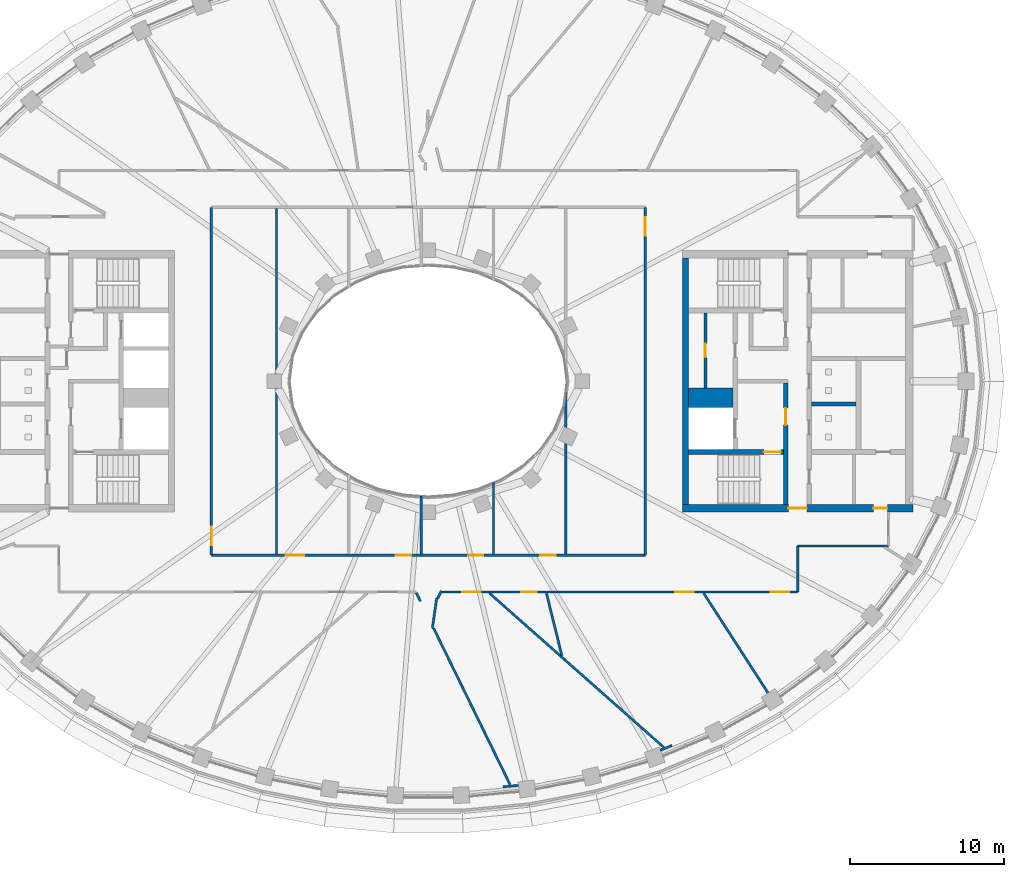
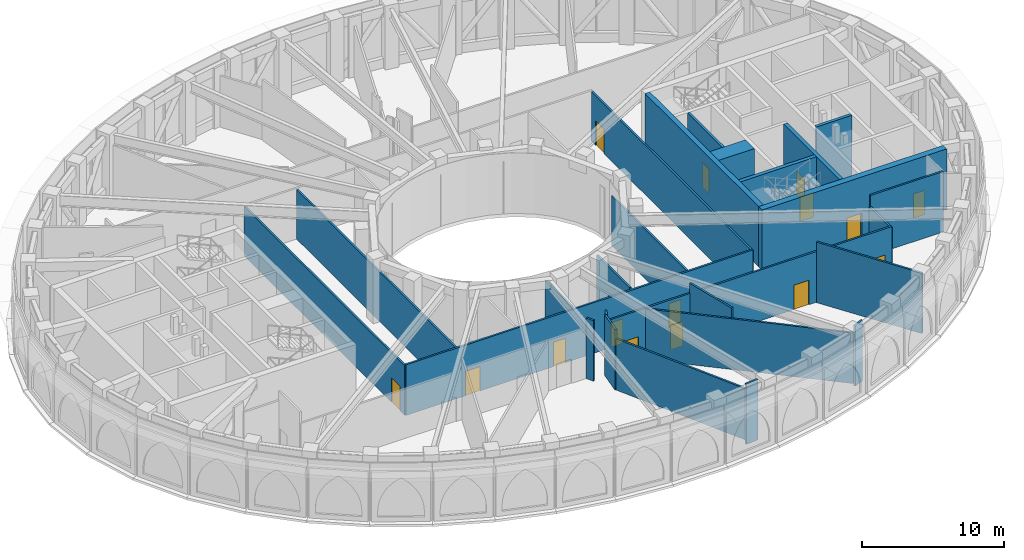
# One storey, part 6 of 23: 27 walls, 15 doors, 15 openings.
"""IFC4 building model written with IfcOpenShell, lengths in metres."""

from ifc_helpers import new_model, si_unit, direction, frame, frame_2d, origin, place, context, subcontext, project, spatial, rectangle, extrude, material, layer, layer_set, type_object, element, fill, save


model = new_model("IFC4")

# Units and contexts
model_context = context("Model", 3, precision=1e-05, world=origin(), true_north=direction((0.0, 1.0)))
body_context = subcontext(model_context, "Body", "Model", "MODEL_VIEW")
ifc_project = project(units=[si_unit("LENGTHUNIT", "METRE"), si_unit("AREAUNIT", "SQUARE_METRE"), si_unit("VOLUMEUNIT", "CUBIC_METRE"), si_unit("PLANEANGLEUNIT", "RADIAN"), si_unit("MASSUNIT", "GRAM", prefix="KILO")], contexts=[model_context])

# Site, building, storey
site_placement = place(None, origin())
site = spatial("IfcSite", under=ifc_project, at=site_placement, CompositionType="ELEMENT")
building_placement = place(site_placement, origin())
building = spatial("IfcBuilding", under=site, at=building_placement, Name="Noorbagh Ring Tower", CompositionType="ELEMENT")
storey_placement = place(building_placement, frame((0.0, 0.0, 285.5)))
storey = spatial("IfcBuildingStorey", under=building, at=storey_placement, Name="L61", CompositionType="ELEMENT", Elevation=285.5)

# Wall, opening, door
ifc_material_1 = material(Name="Gypsum board on steel studs", Category="steel")
ifc_layer_1 = layer(ifc_material_1, 0.14990234375)
ifc_layer_set_1 = layer_set([ifc_layer_1], Name="Gypsum board on steel studs")
wall_type_1 = type_object("IfcWallType", Name="COMPARTMENT PARTITION 150 EI 60", PredefinedType="PARTITIONING", material=ifc_layer_set_1)
wall_1_placement = place(storey_placement, frame((-14.10009765625, -11.300048828125, 0.0), z_axis=(0.0, 0.0, 1.0), x_axis=(0.0, 1.0, 0.0)))
wall_1 = element("IfcWall", 1, at=wall_1_placement, inside=storey, type_object=wall_type_1, Name="L61/wall/P15", PredefinedType="PARTITIONING", context=body_context, shape_type="SweptSolid", body=[
    extrude(rectangle(XDim=22.60009765625, YDim=0.14990234375, at=frame_2d((11.300048828125, 0.0))), origin(), (0.0, 0.0, 1.0), 4.25),
])
opening_1_placement = place(wall_1_placement, frame((0.64990234375, 0.0, 0.0)))
opening_1 = element("IfcOpeningElement", 2, at=opening_1_placement, cuts=wall_1, Name="Opening D7", PredefinedType="OPENING", context=body_context, shape_type="SweptSolid", body=[
    extrude(rectangle(XDim=1.199951171875, YDim=2.10009765625, at=frame_2d((0.60009765625, 1.050048828125))), frame((0.0, 0.0849609375, 0.0), z_axis=(0.0, -1.0, 0.0), x_axis=(1.0, 0.0, 0.0)), (0.0, 0.0, 1.0), 0.169921875),
])
ifc_material_2 = material(Name="Timber, painted", Category="wood")
door_type_1 = type_object("IfcDoorType", Name="DOOR 1200 X 2100 FD60", OperationType="SINGLE_SWING_LEFT", PredefinedType="DOOR", material=ifc_material_2)
door_1_placement = place(opening_1_placement, origin())
door_1 = element("IfcDoor", 3, at=door_1_placement, inside=storey, type_object=door_type_1, Name="L61-D19", OperationType="SINGLE_SWING_LEFT", OverallHeight=2.10009765625, OverallWidth=1.199951171875, PredefinedType="DOOR", context=body_context, shape_type="SweptSolid", body=[
    extrude(rectangle(XDim=1.199951171875, YDim=2.10009765625, at=frame_2d((0.60009765625, 1.050048828125))), frame((0.0, 0.02490234375, 0.0), z_axis=(0.0, -1.0, 0.0), x_axis=(1.0, 0.0, 0.0)), (0.0, 0.0, 1.0), 0.050048828125),
])
fill(opening_1, door_1)

# Wall, openings, doors
wall_2_placement = place(storey_placement, frame((-14.10009765625, -11.300048828125, 0.0), z_axis=(0.0, 0.0, 1.0), x_axis=(1.0, 0.0, 0.0)))
wall_2 = element("IfcWall", 4, at=wall_2_placement, inside=storey, type_object=wall_type_1, Name="L61/wall/P16", PredefinedType="PARTITIONING", context=body_context, shape_type="SweptSolid", body=[
    extrude(rectangle(XDim=28.2001953125, YDim=0.14990234375, at=frame_2d((14.10009765625, 0.0))), origin(), (0.0, 0.0, 1.0), 4.35009765625),
])
opening_2_placement = place(wall_2_placement, frame((4.830078125, 0.0, 0.0)))
opening_2 = element("IfcOpeningElement", 5, at=opening_2_placement, cuts=wall_2, Name="Opening D7", PredefinedType="OPENING", context=body_context, shape_type="SweptSolid", body=[
    extrude(rectangle(XDim=1.199951171875, YDim=2.10009765625, at=frame_2d((0.60009765625, 1.050048828125))), frame((0.0, 0.0849609375, 0.0), z_axis=(0.0, -1.0, 0.0), x_axis=(1.0, 0.0, 0.0)), (0.0, 0.0, 1.0), 0.169921875),
])
opening_3_placement = place(wall_2_placement, frame((11.97998046875, 0.0, 0.0)))
opening_3 = element("IfcOpeningElement", 6, at=opening_3_placement, cuts=wall_2, Name="Opening D6", PredefinedType="OPENING", context=body_context, shape_type="SweptSolid", body=[
    extrude(rectangle(XDim=1.0, YDim=2.10009765625, at=frame_2d((0.5, 1.050048828125))), frame((0.0, 0.0849609375, 0.0), z_axis=(0.0, -1.0, 0.0), x_axis=(1.0, 0.0, 0.0)), (0.0, 0.0, 1.0), 0.169921875),
])
opening_4_placement = place(wall_2_placement, frame((16.679931640625, 0.0, 0.0)))
opening_4 = element("IfcOpeningElement", 7, at=opening_4_placement, cuts=wall_2, Name="Opening D6", PredefinedType="OPENING", context=body_context, shape_type="SweptSolid", body=[
    extrude(rectangle(XDim=1.0, YDim=2.10009765625, at=frame_2d((0.5, 1.050048828125))), frame((0.0, 0.0849609375, 0.0), z_axis=(0.0, -1.0, 0.0), x_axis=(1.0, 0.0, 0.0)), (0.0, 0.0, 1.0), 0.169921875),
])
opening_5_placement = place(wall_2_placement, frame((21.3798828125, 0.0, 0.0)))
opening_5 = element("IfcOpeningElement", 8, at=opening_5_placement, cuts=wall_2, Name="Opening D6", PredefinedType="OPENING", context=body_context, shape_type="SweptSolid", body=[
    extrude(rectangle(XDim=1.0, YDim=2.10009765625, at=frame_2d((0.5, 1.050048828125))), frame((0.0, 0.0849609375, 0.0), z_axis=(0.0, -1.0, 0.0), x_axis=(1.0, 0.0, 0.0)), (0.0, 0.0, 1.0), 0.169921875),
])
ifc_material_3 = material(Name="Timber, painted", Category="wood")
door_type_2 = type_object("IfcDoorType", Name="DOOR 1000 X 2100 FD60", OperationType="SINGLE_SWING_LEFT", PredefinedType="DOOR", material=ifc_material_3)
door_2_placement = place(opening_3_placement, origin())
door_2 = element("IfcDoor", 9, at=door_2_placement, inside=storey, type_object=door_type_2, Name="L61-D21", OperationType="SINGLE_SWING_LEFT", OverallHeight=2.10009765625, OverallWidth=1.0, PredefinedType="DOOR", context=body_context, shape_type="SweptSolid", body=[
    extrude(rectangle(XDim=1.0, YDim=2.10009765625, at=frame_2d((0.5, 1.050048828125))), frame((0.0, 0.02490234375, 0.0), z_axis=(0.0, -1.0, 0.0), x_axis=(1.0, 0.0, 0.0)), (0.0, 0.0, 1.0), 0.050048828125),
])
fill(opening_3, door_2)
door_3_placement = place(opening_4_placement, origin())
door_3 = element("IfcDoor", 10, at=door_3_placement, inside=storey, type_object=door_type_2, Name="L61-D23", OperationType="SINGLE_SWING_LEFT", OverallHeight=2.10009765625, OverallWidth=1.0, PredefinedType="DOOR", context=body_context, shape_type="SweptSolid", body=[
    extrude(rectangle(XDim=1.0, YDim=2.10009765625, at=frame_2d((0.5, 1.050048828125))), frame((0.0, 0.02490234375, 0.0), z_axis=(0.0, -1.0, 0.0), x_axis=(1.0, 0.0, 0.0)), (0.0, 0.0, 1.0), 0.050048828125),
])
fill(opening_4, door_3)
door_4_placement = place(opening_5_placement, origin())
door_4 = element("IfcDoor", 11, at=door_4_placement, inside=storey, type_object=door_type_2, Name="L61-D25", OperationType="SINGLE_SWING_LEFT", OverallHeight=2.10009765625, OverallWidth=1.0, PredefinedType="DOOR", context=body_context, shape_type="SweptSolid", body=[
    extrude(rectangle(XDim=1.0, YDim=2.10009765625, at=frame_2d((0.5, 1.050048828125))), frame((0.0, 0.02490234375, 0.0), z_axis=(0.0, -1.0, 0.0), x_axis=(1.0, 0.0, 0.0)), (0.0, 0.0, 1.0), 0.050048828125),
])
fill(opening_5, door_4)
door_5_placement = place(opening_2_placement, origin())
door_5 = element("IfcDoor", 12, at=door_5_placement, inside=storey, type_object=door_type_1, Name="L61-D20", OperationType="SINGLE_SWING_RIGHT", OverallHeight=2.10009765625, OverallWidth=1.199951171875, PredefinedType="DOOR", context=body_context, shape_type="SweptSolid", body=[
    extrude(rectangle(XDim=1.199951171875, YDim=2.10009765625, at=frame_2d((0.60009765625, 1.050048828125))), frame((0.0, 0.02490234375, 0.0), z_axis=(0.0, -1.0, 0.0), x_axis=(1.0, 0.0, 0.0)), (0.0, 0.0, 1.0), 0.050048828125),
])
fill(opening_2, door_5)

# Walls
wall_3_placement = place(storey_placement, frame((-9.8701171875, -11.22509765625, 0.0), z_axis=(0.0, 0.0, 1.0), x_axis=(0.0, 1.0, 0.0)))
element("IfcWall", 13, at=wall_3_placement, inside=storey, type_object=wall_type_1, Name="L61/wall/P20", PredefinedType="PARTITIONING", context=body_context, shape_type="SweptSolid", body=[
    extrude(rectangle(XDim=22.4501953125, YDim=0.14990234375, at=frame_2d((11.22509765625, 0.0))), origin(), (0.0, 0.0, 1.0), 4.25),
])
wall_4_placement = place(storey_placement, frame((-0.787109375, -13.742919921875, 0.0), z_axis=(0.0, 0.0, 1.0), x_axis=(0.440942587428, -0.897535311056, 0.0)))
element("IfcWall", 14, at=wall_4_placement, inside=storey, type_object=wall_type_1, Name="L61/wall/P26", PredefinedType="PARTITIONING", context=body_context, shape_type="SweptSolid", body=[
    extrude(rectangle(XDim=0.6240234375, YDim=0.14990234375, at=frame_2d((0.31201171875, 0.0))), origin(), (0.0, 0.0, 1.0), 5.199951171875),
])
wall_5_placement = place(storey_placement, frame((-0.469970703125, -11.22509765625, 0.0), z_axis=(0.0, 0.0, 1.0), x_axis=(0.0, 1.0, 0.0)))
element("IfcWall", 15, at=wall_5_placement, inside=storey, type_object=wall_type_1, Name="L61/wall/P28", PredefinedType="PARTITIONING", context=body_context, shape_type="SweptSolid", body=[
    extrude(rectangle(XDim=3.756103515625, YDim=0.14990234375, at=frame_2d((1.8779296875, 0.0))), origin(), (0.0, 0.0, 1.0), 4.5),
])
wall_6_placement = place(storey_placement, frame((0.259033203125, -16.052001953125, 0.0), z_axis=(0.0, 0.0, 1.0), x_axis=(0.143027920195, 0.989718653984, 0.0)))
element("IfcWall", 16, at=wall_6_placement, inside=storey, type_object=wall_type_1, Name="L61/wall/P33", PredefinedType="PARTITIONING", context=body_context, shape_type="SweptSolid", body=[
    extrude(rectangle(XDim=1.978271484375, YDim=0.14990234375, at=frame_2d((0.9892578125, 0.0))), origin(), (0.0, 0.0, 1.0), 5.199951171875),
])
wall_7_placement = place(storey_placement, frame((0.3369140625, -16.0400390625, 0.0), z_axis=(0.0, 0.0, 1.0), x_axis=(0.439198527349, -0.898390034214, 0.0)))
element("IfcWall", 17, at=wall_7_placement, inside=storey, type_object=wall_type_1, Name="L61/wall/P34", PredefinedType="PARTITIONING", context=body_context, shape_type="SweptSolid", body=[
    extrude(rectangle(XDim=11.31982421875, YDim=0.14990234375, at=frame_2d((5.659912109375, 0.0))), origin(), (0.0, 0.0, 1.0), 4.39990234375),
])
wall_8_placement = place(storey_placement, frame((0.60498046875, -14.114013671875, 0.0), z_axis=(0.0, 0.0, 1.0), x_axis=(0.440568125066, 0.897719180577, 0.0)))
element("IfcWall", 18, at=wall_8_placement, inside=storey, type_object=wall_type_1, Name="L61/wall/P35", PredefinedType="PARTITIONING", context=body_context, shape_type="SweptSolid", body=[
    extrude(rectangle(XDim=0.544677734375, YDim=0.14990234375, at=frame_2d((0.2724609375, 0.0))), origin(), (0.0, 0.0, 1.0), 5.199951171875),
])

# Wall, openings, doors
wall_9_placement = place(storey_placement, frame((0.89208984375, -13.699951171875, 0.0), z_axis=(0.0, 0.0, 1.0), x_axis=(1.0, 0.0, 0.0)))
wall_9 = element("IfcWall", 19, at=wall_9_placement, inside=storey, type_object=wall_type_1, Name="L61/wall/P37", PredefinedType="PARTITIONING", context=body_context, shape_type="SweptSolid", body=[
    extrude(rectangle(XDim=6.763916015625, YDim=0.14990234375, at=frame_2d((3.3818359375, 0.0))), origin(), (0.0, 0.0, 1.0), 4.35009765625),
])
opening_6_placement = place(wall_9_placement, frame((1.31591796875, 0.0, 0.0)))
opening_6 = element("IfcOpeningElement", 20, at=opening_6_placement, cuts=wall_9, Name="Opening D7", PredefinedType="OPENING", context=body_context, shape_type="SweptSolid", body=[
    extrude(rectangle(XDim=1.199951171875, YDim=2.10009765625, at=frame_2d((0.60009765625, 1.050048828125))), frame((0.0, 0.0849609375, 0.0), z_axis=(0.0, -1.0, 0.0), x_axis=(1.0, 0.0, 0.0)), (0.0, 0.0, 1.0), 0.169921875),
])
opening_7_placement = place(wall_9_placement, frame((5.14794921875, 0.0, 0.0)))
opening_7 = element("IfcOpeningElement", 21, at=opening_7_placement, cuts=wall_9, Name="Opening D6", PredefinedType="OPENING", context=body_context, shape_type="SweptSolid", body=[
    extrude(rectangle(XDim=1.0, YDim=2.10009765625, at=frame_2d((0.5, 1.050048828125))), frame((0.0, 0.0849609375, 0.0), z_axis=(0.0, -1.0, 0.0), x_axis=(1.0, 0.0, 0.0)), (0.0, 0.0, 1.0), 0.169921875),
])
door_6_placement = place(opening_7_placement, origin())
door_6 = element("IfcDoor", 22, at=door_6_placement, inside=storey, type_object=door_type_2, Name="L61-D12", OperationType="SINGLE_SWING_RIGHT", OverallHeight=2.10009765625, OverallWidth=1.0, PredefinedType="DOOR", context=body_context, shape_type="SweptSolid", body=[
    extrude(rectangle(XDim=1.0, YDim=2.10009765625, at=frame_2d((0.5, 1.050048828125))), frame((0.0, 0.02490234375, 0.0), z_axis=(0.0, -1.0, 0.0), x_axis=(1.0, 0.0, 0.0)), (0.0, 0.0, 1.0), 0.050048828125),
])
fill(opening_7, door_6)
door_7_placement = place(opening_6_placement, origin())
door_7 = element("IfcDoor", 23, at=door_7_placement, inside=storey, type_object=door_type_1, Name="L61-D10", OperationType="SINGLE_SWING_RIGHT", OverallHeight=2.10009765625, OverallWidth=1.199951171875, PredefinedType="DOOR", context=body_context, shape_type="SweptSolid", body=[
    extrude(rectangle(XDim=1.199951171875, YDim=2.10009765625, at=frame_2d((0.60009765625, 1.050048828125))), frame((0.0, 0.02490234375, 0.0), z_axis=(0.0, -1.0, 0.0), x_axis=(1.0, 0.0, 0.0)), (0.0, 0.0, 1.0), 0.050048828125),
])
fill(opening_6, door_7)

# Walls
wall_10_placement = place(storey_placement, frame((3.97802734375, -13.778076171875, 0.0), z_axis=(0.0, 0.0, 1.0), x_axis=(0.749092891723, -0.662464972335, 0.0)))
element("IfcWall", 24, at=wall_10_placement, inside=storey, type_object=wall_type_1, Name="L61/wall/P39", PredefinedType="PARTITIONING", context=body_context, shape_type="SweptSolid", body=[
    extrude(rectangle(XDim=15.091796875, YDim=0.14990234375, at=frame_2d((7.5458984375, 0.0))), origin(), (0.0, 0.0, 1.0), 4.35009765625),
])
wall_11_placement = place(storey_placement, frame((4.22998046875, -11.22509765625, 0.0), z_axis=(0.0, 0.0, 1.0), x_axis=(0.0, 1.0, 0.0)))
element("IfcWall", 25, at=wall_11_placement, inside=storey, type_object=wall_type_1, Name="L61/wall/P40", PredefinedType="PARTITIONING", context=body_context, shape_type="SweptSolid", body=[
    extrude(rectangle(XDim=4.633056640625, YDim=0.14990234375, at=frame_2d((2.31640625, 0.0))), origin(), (0.0, 0.0, 1.0), 4.5),
])
wall_12_placement = place(storey_placement, frame((7.656005859375, -13.699951171875, 0.0), z_axis=(0.0, 0.0, 1.0), x_axis=(0.239606320911, -0.970870130852, 0.0)))
element("IfcWall", 26, at=wall_12_placement, inside=storey, type_object=wall_type_1, Name="L61/wall/P45", PredefinedType="PARTITIONING", context=body_context, shape_type="SweptSolid", body=[
    extrude(rectangle(XDim=4.257080078125, YDim=0.14990234375, at=frame_2d((2.12841796875, 0.0))), origin(), (0.0, 0.0, 1.0), 5.199951171875),
])

# Wall, openings, doors
wall_13_placement = place(storey_placement, frame((7.672119140625, -13.699951171875, 0.0), z_axis=(0.0, 0.0, 1.0), x_axis=(1.0, 0.0, 0.0)))
wall_13 = element("IfcWall", 27, at=wall_13_placement, inside=storey, type_object=wall_type_1, Name="L61/wall/P46", PredefinedType="PARTITIONING", context=body_context, shape_type="SweptSolid", body=[
    extrude(rectangle(XDim=16.327880859375, YDim=0.14990234375, at=frame_2d((8.1640625, 0.0))), origin(), (0.0, 0.0, 1.0), 4.35009765625),
])
opening_8_placement = place(wall_13_placement, frame((8.384033203125, 0.0, 0.0)))
opening_8 = element("IfcOpeningElement", 28, at=opening_8_placement, cuts=wall_13, Name="Opening D7", PredefinedType="OPENING", context=body_context, shape_type="SweptSolid", body=[
    extrude(rectangle(XDim=1.199951171875, YDim=2.10009765625, at=frame_2d((0.60009765625, 1.050048828125))), frame((0.0, 0.0849609375, 0.0), z_axis=(0.0, -1.0, 0.0), x_axis=(1.0, 0.0, 0.0)), (0.0, 0.0, 1.0), 0.169921875),
])
opening_9_placement = place(wall_13_placement, frame((14.572021484375, 0.0, 0.0)))
opening_9 = element("IfcOpeningElement", 29, at=opening_9_placement, cuts=wall_13, Name="Opening D7", PredefinedType="OPENING", context=body_context, shape_type="SweptSolid", body=[
    extrude(rectangle(XDim=1.199951171875, YDim=2.10009765625, at=frame_2d((0.60009765625, 1.050048828125))), frame((0.0, 0.0849609375, 0.0), z_axis=(0.0, -1.0, 0.0), x_axis=(1.0, 0.0, 0.0)), (0.0, 0.0, 1.0), 0.169921875),
])
door_8_placement = place(opening_8_placement, origin())
door_8 = element("IfcDoor", 30, at=door_8_placement, inside=storey, type_object=door_type_1, Name="L61-D14", OperationType="SINGLE_SWING_RIGHT", OverallHeight=2.10009765625, OverallWidth=1.199951171875, PredefinedType="DOOR", context=body_context, shape_type="SweptSolid", body=[
    extrude(rectangle(XDim=1.199951171875, YDim=2.10009765625, at=frame_2d((0.60009765625, 1.050048828125))), frame((0.0, 0.02490234375, 0.0), z_axis=(0.0, -1.0, 0.0), x_axis=(1.0, 0.0, 0.0)), (0.0, 0.0, 1.0), 0.050048828125),
])
fill(opening_8, door_8)
door_9_placement = place(opening_9_placement, origin())
door_9 = element("IfcDoor", 31, at=door_9_placement, inside=storey, type_object=door_type_1, Name="L61-D16", OperationType="SINGLE_SWING_RIGHT", OverallHeight=2.10009765625, OverallWidth=1.199951171875, PredefinedType="DOOR", context=body_context, shape_type="SweptSolid", body=[
    extrude(rectangle(XDim=1.199951171875, YDim=2.10009765625, at=frame_2d((0.60009765625, 1.050048828125))), frame((0.0, 0.02490234375, 0.0), z_axis=(0.0, -1.0, 0.0), x_axis=(1.0, 0.0, 0.0)), (0.0, 0.0, 1.0), 0.050048828125),
])
fill(opening_9, door_9)

# Wall
wall_14_placement = place(storey_placement, frame((8.929931640625, -11.22509765625, 0.0), z_axis=(0.0, 0.0, 1.0), x_axis=(0.0, 1.0, 0.0)))
element("IfcWall", 32, at=wall_14_placement, inside=storey, type_object=wall_type_1, Name="L61/wall/P47", PredefinedType="PARTITIONING", context=body_context, shape_type="SweptSolid", body=[
    extrude(rectangle(XDim=10.70703125, YDim=0.14990234375, at=frame_2d((5.353515625, 0.0))), origin(), (0.0, 0.0, 1.0), 4.25),
])

# Wall, opening, door
wall_15_placement = place(storey_placement, frame((14.10009765625, -11.300048828125, 0.0), z_axis=(0.0, 0.0, 1.0), x_axis=(0.0, 1.0, 0.0)))
wall_15 = element("IfcWall", 33, at=wall_15_placement, inside=storey, type_object=wall_type_1, Name="L61/wall/P49", PredefinedType="PARTITIONING", context=body_context, shape_type="SweptSolid", body=[
    extrude(rectangle(XDim=22.60009765625, YDim=0.14990234375, at=frame_2d((11.300048828125, 0.0))), origin(), (0.0, 0.0, 1.0), 4.25),
])
opening_10_placement = place(wall_15_placement, frame((20.75, 0.0, 0.0)))
opening_10 = element("IfcOpeningElement", 34, at=opening_10_placement, cuts=wall_15, Name="Opening D7", PredefinedType="OPENING", context=body_context, shape_type="SweptSolid", body=[
    extrude(rectangle(XDim=1.199951171875, YDim=2.10009765625, at=frame_2d((0.60009765625, 1.050048828125))), frame((0.0, 0.0849609375, 0.0), z_axis=(0.0, -1.0, 0.0), x_axis=(1.0, 0.0, 0.0)), (0.0, 0.0, 1.0), 0.169921875),
])
door_10_placement = place(opening_10_placement, origin())
door_10 = element("IfcDoor", 35, at=door_10_placement, inside=storey, type_object=door_type_1, Name="L61-D27", OperationType="SINGLE_SWING_LEFT", OverallHeight=2.10009765625, OverallWidth=1.199951171875, PredefinedType="DOOR", context=body_context, shape_type="SweptSolid", body=[
    extrude(rectangle(XDim=1.199951171875, YDim=2.10009765625, at=frame_2d((0.60009765625, 1.050048828125))), frame((0.0, 0.02490234375, 0.0), z_axis=(0.0, -1.0, 0.0), x_axis=(1.0, 0.0, 0.0)), (0.0, 0.0, 1.0), 0.050048828125),
])
fill(opening_10, door_10)

# Walls
wall_16_placement = place(storey_placement, frame((17.89208984375, -13.77490234375, 0.0), z_axis=(0.0, 0.0, 1.0), x_axis=(0.542293508104, -0.840189116252, 0.0)))
element("IfcWall", 36, at=wall_16_placement, inside=storey, type_object=wall_type_1, Name="L61/wall/P51", PredefinedType="PARTITIONING", context=body_context, shape_type="SweptSolid", body=[
    extrude(rectangle(XDim=8.34228515625, YDim=0.14990234375, at=frame_2d((4.171142578125, 0.0))), origin(), (0.0, 0.0, 1.0), 5.199951171875),
])
wall_17_placement = place(storey_placement, frame((24.0, -13.699951171875, 0.0), z_axis=(0.0, 0.0, 1.0), x_axis=(0.0, 1.0, 0.0)))
element("IfcWall", 37, at=wall_17_placement, inside=storey, type_object=wall_type_1, Name="L61/wall/P52", PredefinedType="PARTITIONING", context=body_context, shape_type="SweptSolid", body=[
    extrude(rectangle(XDim=3.0, YDim=0.14990234375, at=frame_2d((1.5, 0.0))), origin(), (0.0, 0.0, 1.0), 4.25),
])
wall_18_placement = place(storey_placement, frame((24.0, -10.699951171875, 0.0), z_axis=(0.0, 0.0, 1.0), x_axis=(1.0, 0.0, 0.0)))
element("IfcWall", 38, at=wall_18_placement, inside=storey, type_object=wall_type_1, Name="L61/wall/P53", PredefinedType="PARTITIONING", context=body_context, shape_type="SweptSolid", body=[
    extrude(rectangle(XDim=5.89990234375, YDim=0.14990234375, at=frame_2d((2.949951171875, 0.0))), origin(), (0.0, 0.0, 1.0), 5.199951171875),
])
wall_19_placement = place(storey_placement, frame((4.85986328125, -26.357421875, 0.0), z_axis=(0.0, 0.0, 1.0), x_axis=(0.995478996725, 0.094981930274, 0.0)))
element("IfcWall", 39, at=wall_19_placement, inside=storey, type_object=wall_type_1, Name="L61/wall/P67", PredefinedType="PARTITIONING", context=body_context, shape_type="SweptSolid", body=[
    extrude(rectangle(XDim=1.0, YDim=0.14990234375, at=frame_2d((0.5, 0.0))), origin(), (0.0, 0.0, 1.0), 5.199951171875),
])
wall_20_placement = place(storey_placement, frame((15.067138671875, -23.98681640625, 0.0), z_axis=(0.0, 0.0, 1.0), x_axis=(0.921729013989, 0.38783453272, 0.0)))
element("IfcWall", 40, at=wall_20_placement, inside=storey, type_object=wall_type_1, Name="L61/wall/P68", PredefinedType="PARTITIONING", context=body_context, shape_type="SweptSolid", body=[
    extrude(rectangle(XDim=0.833984375, YDim=0.14990234375, at=frame_2d((0.4169921875, 0.0))), origin(), (0.0, 0.0, 1.0), 5.199951171875),
])

# Wall, opening, door
ifc_material_4 = material(Name="Gypsum board on steel studs", Category="steel")
ifc_layer_2 = layer(ifc_material_4, 0.199951171875)
ifc_layer_set_2 = layer_set([ifc_layer_2], Name="Gypsum board on steel studs")
wall_type_2 = type_object("IfcWallType", Name="CORE-PARTITION-200", PredefinedType="PARTITIONING", material=ifc_layer_set_2)
wall_21_placement = place(storey_placement, frame((18.0, -0.449951171875, 0.0), z_axis=(0.0, 0.0, 1.0), x_axis=(0.0, 1.0, 0.0)))
wall_21 = element("IfcWall", 41, at=wall_21_placement, inside=storey, type_object=wall_type_2, Name="Core partition E", PredefinedType="PARTITIONING", context=body_context, shape_type="SweptSolid", body=[
    extrude(rectangle(XDim=4.89990234375, YDim=0.199951171875, at=frame_2d((2.449951171875, 0.0))), origin(), (0.0, 0.0, 1.0), 5.199951171875),
])
opening_11_placement = place(wall_21_placement, frame((2.0, 0.0, 0.0)))
opening_11 = element("IfcOpeningElement", 42, at=opening_11_placement, cuts=wall_21, Name="Opening L61-CE09", PredefinedType="OPENING", context=body_context, shape_type="SweptSolid", body=[
    extrude(rectangle(XDim=0.89990234375, YDim=2.10009765625, at=frame_2d((0.449951171875, 1.050048828125))), frame((0.0, 0.10986328125, 0.0), z_axis=(0.0, -1.0, 0.0), x_axis=(1.0, 0.0, 0.0)), (0.0, 0.0, 1.0), 0.219970703125),
])
ifc_material_5 = material(Name="Steel door leaf", Category="steel")
door_type_3 = type_object("IfcDoorType", Name="CORE-DOOR-DROOM", OperationType="SINGLE_SWING_LEFT", PredefinedType="DOOR", material=ifc_material_5)
door_11_placement = place(opening_11_placement, origin())
door_11 = element("IfcDoor", 43, at=door_11_placement, inside=storey, type_object=door_type_3, Name="Core room door L61-CE09", OperationType="SINGLE_SWING_RIGHT", OverallHeight=2.10009765625, OverallWidth=0.89990234375, PredefinedType="DOOR", context=body_context, shape_type="SweptSolid", body=[
    extrude(rectangle(XDim=0.89990234375, YDim=2.10009765625, at=frame_2d((0.449951171875, 1.050048828125))), frame((0.0, 0.02490234375, 0.0), z_axis=(0.0, -1.0, 0.0), x_axis=(1.0, 0.0, 0.0)), (0.0, 0.0, 1.0), 0.050048828125),
])
fill(opening_11, door_11)

# Walls
ifc_material_6 = material(Name="Concrete C50/60", Category="concrete")
ifc_layer_3 = layer(ifc_material_6, 1.25)
ifc_layer_set_3 = layer_set([ifc_layer_3], Name="Concrete C50/60")
wall_type_3 = type_object("IfcWallType", Name="CORE-WALL-1250-C50-60-EI120", PredefinedType="SHEAR", material=ifc_layer_set_3)
wall_22_placement = place(storey_placement, frame((16.89990234375, -1.074951171875, 0.0), z_axis=(0.0, 0.0, 1.0), x_axis=(1.0, 0.0, 0.0)))
element("IfcWall", 44, at=wall_22_placement, inside=storey, type_object=wall_type_3, Name="Core wall E", PredefinedType="SHEAR", context=body_context, shape_type="SweptSolid", body=[
    extrude(rectangle(XDim=2.900146484375, YDim=1.25, at=frame_2d((1.4501953125, 0.0))), origin(), (0.0, 0.0, 1.0), 5.199951171875),
])
ifc_material_7 = material(Name="Concrete C50/60", Category="concrete")
ifc_layer_4 = layer(ifc_material_7, 0.25)
ifc_layer_set_4 = layer_set([ifc_layer_4], Name="Concrete C50/60")
wall_type_4 = type_object("IfcWallType", Name="CORE-WALL-250-C50-60-EI120", PredefinedType="SHEAR", material=ifc_layer_set_4)
wall_23_placement = place(storey_placement, frame((24.89990234375, -1.47509765625, 0.0), z_axis=(0.0, 0.0, 1.0), x_axis=(1.0, 0.0, 0.0)))
element("IfcWall", 45, at=wall_23_placement, inside=storey, type_object=wall_type_4, Name="Core wall E", PredefinedType="SHEAR", context=body_context, shape_type="SweptSolid", body=[
    extrude(rectangle(XDim=2.900146484375, YDim=0.25, at=frame_2d((1.4501953125, 0.0))), origin(), (0.0, 0.0, 1.0), 5.199951171875),
])

# Wall, opening, door
ifc_material_8 = material(Name="Concrete C50/60", Category="concrete")
ifc_layer_5 = layer(ifc_material_8, 0.300048828125)
ifc_layer_set_5 = layer_set([ifc_layer_5], Name="Concrete C50/60")
wall_type_5 = type_object("IfcWallType", Name="CORE-WALL-300-C50-60-EI240", PredefinedType="SHEAR", material=ifc_layer_set_5)
wall_24_placement = place(storey_placement, frame((23.22998046875, -8.0, 0.0), z_axis=(0.0, 0.0, 1.0), x_axis=(0.0, 1.0, 0.0)))
wall_24 = element("IfcWall", 46, at=wall_24_placement, inside=storey, type_object=wall_type_5, Name="Core wall E", PredefinedType="SHEAR", context=body_context, shape_type="SweptSolid", body=[
    extrude(rectangle(XDim=7.875, YDim=0.300048828125, at=frame_2d((3.9375, 0.0))), origin(), (0.0, 0.0, 1.0), 5.199951171875),
])
opening_12_placement = place(wall_24_placement, frame((5.14990234375, 0.0, 0.0)))
opening_12 = element("IfcOpeningElement", 47, at=opening_12_placement, cuts=wall_24, Name="Opening L61-CE04", PredefinedType="OPENING", context=body_context, shape_type="SweptSolid", body=[
    extrude(rectangle(XDim=1.10009765625, YDim=2.10009765625, at=frame_2d((0.550048828125, 1.050048828125))), frame((0.0, 0.16015625, 0.0), z_axis=(0.0, -1.0, 0.0), x_axis=(1.0, 0.0, 0.0)), (0.0, 0.0, 1.0), 0.320068359375),
])
ifc_material_9 = material(Name="Steel door leaf", Category="steel")
door_type_4 = type_object("IfcDoorType", Name="CORE-DOOR-DFF", OperationType="SINGLE_SWING_LEFT", PredefinedType="DOOR", material=ifc_material_9)
door_12_placement = place(opening_12_placement, origin())
door_12 = element("IfcDoor", 48, at=door_12_placement, inside=storey, type_object=door_type_4, Name="Firefighting lobby door L61-CE04", OperationType="SINGLE_SWING_RIGHT", OverallHeight=2.10009765625, OverallWidth=1.10009765625, PredefinedType="DOOR", context=body_context, shape_type="SweptSolid", body=[
    extrude(rectangle(XDim=1.10009765625, YDim=2.10009765625, at=frame_2d((0.550048828125, 1.050048828125))), frame((0.0, 0.02490234375, 0.0), z_axis=(0.0, -1.0, 0.0), x_axis=(1.0, 0.0, 0.0)), (0.0, 0.0, 1.0), 0.050048828125),
])
fill(opening_12, door_12)

wall_25_placement = place(storey_placement, frame((16.89990234375, -4.60009765625, 0.0), z_axis=(0.0, 0.0, 1.0), x_axis=(1.0, 0.0, 0.0)))
wall_25 = element("IfcWall", 49, at=wall_25_placement, inside=storey, type_object=wall_type_5, Name="Core wall E", PredefinedType="SHEAR", context=body_context, shape_type="SweptSolid", body=[
    extrude(rectangle(XDim=6.18017578125, YDim=0.300048828125, at=frame_2d((3.090087890625, 0.0))), origin(), (0.0, 0.0, 1.0), 5.199951171875),
])
opening_13_placement = place(wall_25_placement, frame((4.89990234375, 0.0, 0.0)))
opening_13 = element("IfcOpeningElement", 50, at=opening_13_placement, cuts=wall_25, Name="Opening L61-CE03", PredefinedType="OPENING", context=body_context, shape_type="SweptSolid", body=[
    extrude(rectangle(XDim=1.10009765625, YDim=2.10009765625, at=frame_2d((0.550048828125, 1.050048828125))), frame((0.0, 0.16015625, 0.0), z_axis=(0.0, -1.0, 0.0), x_axis=(1.0, 0.0, 0.0)), (0.0, 0.0, 1.0), 0.320068359375),
])
ifc_material_10 = material(Name="Steel door leaf", Category="steel")
door_type_5 = type_object("IfcDoorType", Name="CORE-DOOR-DSTAIR", OperationType="SINGLE_SWING_LEFT", PredefinedType="DOOR", material=ifc_material_10)
door_13_placement = place(opening_13_placement, origin())
door_13 = element("IfcDoor", 51, at=door_13_placement, inside=storey, type_object=door_type_5, Name="Stair door ST4 L61-CE03", OperationType="SINGLE_SWING_RIGHT", OverallHeight=2.10009765625, OverallWidth=1.10009765625, PredefinedType="DOOR", context=body_context, shape_type="SweptSolid", body=[
    extrude(rectangle(XDim=1.10009765625, YDim=2.10009765625, at=frame_2d((0.550048828125, 1.050048828125))), frame((0.0, 0.02490234375, 0.0), z_axis=(0.0, -1.0, 0.0), x_axis=(1.0, 0.0, 0.0)), (0.0, 0.0, 1.0), 0.050048828125),
])
fill(opening_13, door_13)

# Wall
ifc_material_11 = material(Name="Concrete C50/60", Category="concrete")
ifc_layer_6 = layer(ifc_material_11, 0.39990234375)
ifc_layer_set_6 = layer_set([ifc_layer_6], Name="Concrete C50/60")
wall_type_6 = type_object("IfcWallType", Name="CORE-WALL-400-C50-60-EI240", PredefinedType="SHEAR", material=ifc_layer_set_6)
wall_26_placement = place(storey_placement, frame((16.699951171875, -8.0, 0.0), z_axis=(0.0, 0.0, 1.0), x_axis=(0.0, 1.0, 0.0)))
element("IfcWall", 52, at=wall_26_placement, inside=storey, type_object=wall_type_6, Name="Core wall E", PredefinedType="SHEAR", context=body_context, shape_type="SweptSolid", body=[
    extrude(rectangle(XDim=16.0, YDim=0.39990234375, at=frame_2d((8.0, 0.0))), origin(), (0.0, 0.0, 1.0), 5.199951171875),
])

# Wall, openings, doors
ifc_material_12 = material(Name="Concrete C50/60", Category="concrete")
ifc_layer_7 = layer(ifc_material_12, 0.5)
ifc_layer_set_7 = layer_set([ifc_layer_7], Name="Concrete C50/60")
wall_type_7 = type_object("IfcWallType", Name="CORE-WALL-500-C50-60-EI240", PredefinedType="SHEAR", material=ifc_layer_set_7)
wall_27_placement = place(storey_placement, frame((16.5, -8.25, 0.0), z_axis=(0.0, 0.0, 1.0), x_axis=(1.0, 0.0, 0.0)))
wall_27 = element("IfcWall", 53, at=wall_27_placement, inside=storey, type_object=wall_type_7, Name="Core wall E", PredefinedType="SHEAR", context=body_context, shape_type="SweptSolid", body=[
    extrude(rectangle(XDim=15.0, YDim=0.5, at=frame_2d((7.5, 0.0))), origin(), (0.0, 0.0, 1.0), 5.199951171875),
])
opening_14_placement = place(wall_27_placement, frame((6.89990234375, 0.0, 0.0)))
opening_14 = element("IfcOpeningElement", 54, at=opening_14_placement, cuts=wall_27, Name="Opening L61-CE07", PredefinedType="OPENING", context=body_context, shape_type="SweptSolid", body=[
    extrude(rectangle(XDim=1.199951171875, YDim=2.10009765625, at=frame_2d((0.60009765625, 1.050048828125))), frame((0.0, 0.260009765625, 0.0), z_axis=(0.0, -1.0, 0.0), x_axis=(1.0, 0.0, 0.0)), (0.0, 0.0, 1.0), 0.52001953125),
])
opening_15_placement = place(wall_27_placement, frame((12.425048828125, 0.0, 0.0)))
opening_15 = element("IfcOpeningElement", 55, at=opening_15_placement, cuts=wall_27, Name="Opening L61-CE16", PredefinedType="OPENING", context=body_context, shape_type="SweptSolid", body=[
    extrude(rectangle(XDim=0.89990234375, YDim=2.10009765625, at=frame_2d((0.449951171875, 1.050048828125))), frame((0.0, 0.260009765625, 0.0), z_axis=(0.0, -1.0, 0.0), x_axis=(1.0, 0.0, 0.0)), (0.0, 0.0, 1.0), 0.52001953125),
])
door_14_placement = place(opening_15_placement, origin())
door_14 = element("IfcDoor", 56, at=door_14_placement, inside=storey, type_object=door_type_3, Name="Core room door L61-CE16", OperationType="SINGLE_SWING_RIGHT", OverallHeight=2.10009765625, OverallWidth=0.89990234375, PredefinedType="DOOR", context=body_context, shape_type="SweptSolid", body=[
    extrude(rectangle(XDim=0.89990234375, YDim=2.10009765625, at=frame_2d((0.449951171875, 1.050048828125))), frame((0.0, 0.02490234375, 0.0), z_axis=(0.0, -1.0, 0.0), x_axis=(1.0, 0.0, 0.0)), (0.0, 0.0, 1.0), 0.050048828125),
])
fill(opening_15, door_14)
ifc_material_13 = material(Name="Steel door leaf", Category="steel")
door_type_6 = type_object("IfcDoorType", Name="CORE-DOOR-PORT", OperationType="DOUBLE_DOOR_DOUBLE_SWING", PredefinedType="DOOR", material=ifc_material_13)
door_15_placement = place(opening_14_placement, origin())
door_15 = element("IfcDoor", 57, at=door_15_placement, inside=storey, type_object=door_type_6, Name="Core entrance door L61-CE07", OperationType="DOUBLE_DOOR_DOUBLE_SWING", OverallHeight=2.10009765625, OverallWidth=1.199951171875, PredefinedType="DOOR", context=body_context, shape_type="SweptSolid", body=[
    extrude(rectangle(XDim=1.199951171875, YDim=2.10009765625, at=frame_2d((0.60009765625, 1.050048828125))), frame((0.0, 0.02490234375, 0.0), z_axis=(0.0, -1.0, 0.0), x_axis=(1.0, 0.0, 0.0)), (0.0, 0.0, 1.0), 0.050048828125),
])
fill(opening_14, door_15)

save(model, "model.ifc")
